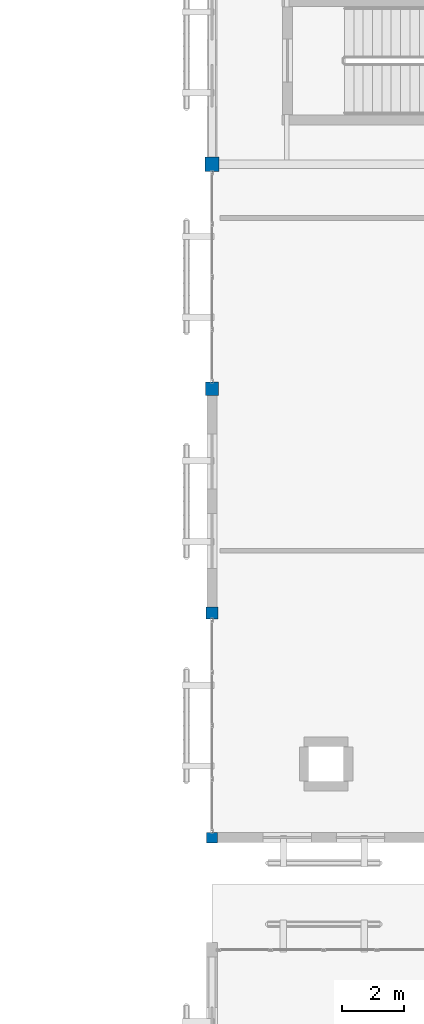
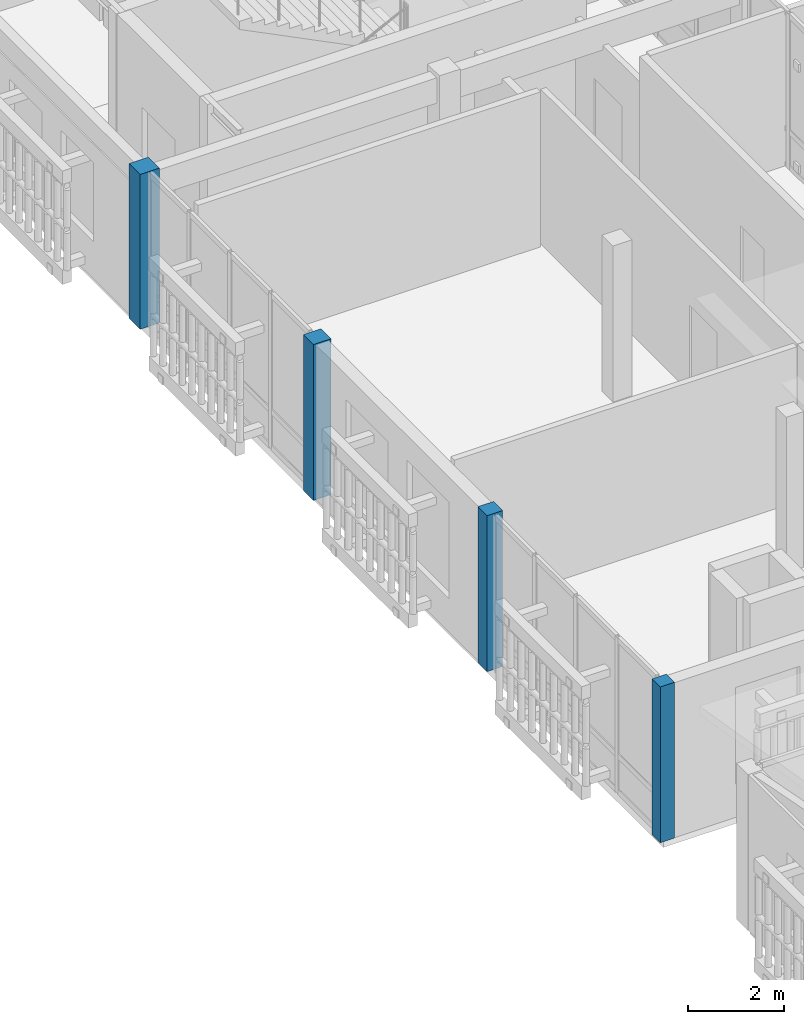
# One storey, part 6 of 112: 4 columns.
"""IFC4 building model written with IfcOpenShell, lengths in metres."""

import ifcopenshell
import ifcopenshell.guid

model = None  # the IFC model being written
_history = None  # IfcOwnerHistory: only IFC2X3 demands one
_inside = {}  # id of a spatial element -> (the spatial element, [elements in it])
_under = {}  # id of a project, library or spatial element -> (it, [spatial elements below it])
_declared = {}  # id of a project -> (the project, [libraries it declares])
_typed = {}  # id of a type object -> (the type object, [elements of that type])
_made_of = {}  # id of a material, layer set ... -> (it, [elements and type objects made of it])


def new_model(schema):
    """Start an empty IFC model of exactly this schema.

    Asked for "IFC4X3", IfcOpenShell would pick the latest addendum, in which some entities
    have other attributes; the version numbers below select the first issue.
    IFC2X3 requires an IfcOwnerHistory on every rooted entity: one is made here for all.
    """
    global model, _history
    if schema == "IFC4X3":
        model = ifcopenshell.file(schema_version=(4, 3, 0, 0))
    else:
        model = ifcopenshell.file(schema=schema)
    _inside.clear()
    _under.clear()
    _declared.clear()
    _typed.clear()
    _made_of.clear()
    _history = None
    if model.schema == "IFC2X3":
        org = make("IfcOrganization", Name="unknown")
        user = make(
            "IfcPersonAndOrganization",
            ThePerson=make("IfcPerson", FamilyName="unknown"),
            TheOrganization=org,
        )
        app = make(
            "IfcApplication",
            ApplicationDeveloper=org,
            Version="unknown",
            ApplicationFullName="unknown",
            ApplicationIdentifier="unknown",
        )
        _history = make(
            "IfcOwnerHistory",
            OwningUser=user,
            OwningApplication=app,
            ChangeAction="ADDED",
            CreationDate=0,
        )
    return model


def make(cls, **values):
    """One entity of the class cls with the attributes given. An attribute that is None is left unset."""
    return model.create_entity(
        cls, **{name: value for name, value in values.items() if value is not None}
    )


def rooted(cls, **values):
    """An entity with a GlobalId (a new one), such as an element, a storey or a relation."""
    return make(cls, GlobalId=ifcopenshell.guid.new(), OwnerHistory=_history, **values)


def si_unit(unit_type, name, prefix=None):
    """IfcSIUnit, for example si_unit("LENGTHUNIT", "METRE", prefix="MILLI")."""
    return make("IfcSIUnit", UnitType=unit_type, Prefix=prefix, Name=name)


def assignment(units):
    """IfcUnitAssignment: the units of a project."""
    return None if units is None else make("IfcUnitAssignment", Units=units)


def point(xyz):
    """IfcCartesianPoint."""
    return None if xyz is None else make("IfcCartesianPoint", Coordinates=xyz)


def direction(xyz):
    """IfcDirection."""
    return None if xyz is None else make("IfcDirection", DirectionRatios=xyz)


def frame(location, z_axis=None, x_axis=None):
    """IfcAxis2Placement3D, a coordinate frame: its origin and axes. An axis left out is left unset."""
    return make(
        "IfcAxis2Placement3D",
        Location=point(location),
        Axis=direction(z_axis),
        RefDirection=direction(x_axis),
    )


def frame_2d(location, x_axis=None):
    """IfcAxis2Placement2D, a coordinate frame in the plane: its origin and x axis."""
    return make(
        "IfcAxis2Placement2D", Location=point(location), RefDirection=direction(x_axis)
    )


def origin():
    """The frame at (0, 0, 0) with its axes left unset."""
    return frame((0.0, 0.0, 0.0))


def origin_2d():
    """The frame at (0, 0) in the plane with its x axis left unset."""
    return frame_2d((0.0, 0.0))


def place(relative_to, where):
    """IfcLocalPlacement: puts the frame where relative to a parent placement (None: the world)."""
    return make(
        "IfcLocalPlacement", PlacementRelTo=relative_to, RelativePlacement=where
    )


def context(
    kind, dimensions, precision=None, world=None, true_north=None, identifier=None
):
    """IfcGeometricRepresentationContext, for example the 3D "Model" context."""
    return make(
        "IfcGeometricRepresentationContext",
        ContextIdentifier=identifier,
        ContextType=kind,
        CoordinateSpaceDimension=dimensions,
        Precision=precision,
        WorldCoordinateSystem=world,
        TrueNorth=true_north,
    )


def subcontext(parent, identifier, kind, view, scale=None):
    """IfcGeometricRepresentationSubContext, for example "Body" below "Model"."""
    return make(
        "IfcGeometricRepresentationSubContext",
        ContextIdentifier=identifier,
        ContextType=kind,
        ParentContext=parent,
        TargetScale=scale,
        TargetView=view,
    )


def project(units=None, contexts=None):
    """IfcProject with its units and contexts."""
    return rooted(
        "IfcProject",
        Name="project",
        RepresentationContexts=contexts,
        UnitsInContext=assignment(units),
    )


def spatial(cls, under=None, at=None, **own):
    """A site, building, storey or space (cls), placed at a placement, below another one or the project."""
    s = rooted(cls, ObjectPlacement=at, **own)
    if under is not None:
        _under.setdefault(under.id(), (under, []))[1].append(s)
    return s


def profile(cls, at=None, kind="AREA", **sizes):
    """A parametric profile (cls). Its sizes go by their IFC names, for example OverallWidth=200.0."""
    return make(cls, ProfileType=kind, Position=at, **sizes)


def rectangle(**sizes):
    """IfcRectangleProfileDef."""
    return profile("IfcRectangleProfileDef", **sizes)


def extrude(swept, where, along, depth):
    """IfcExtrudedAreaSolid: the profile swept, set in the frame where, extruded along a direction by depth."""
    return make(
        "IfcExtrudedAreaSolid",
        SweptArea=swept,
        Position=where,
        ExtrudedDirection=direction(along),
        Depth=depth,
    )


def shape(context_of_items, identifier, shape_type, items):
    """IfcShapeRepresentation: the items that make up one representation, for example the "Body"."""
    return make(
        "IfcShapeRepresentation",
        ContextOfItems=context_of_items,
        RepresentationIdentifier=identifier,
        RepresentationType=shape_type,
        Items=items,
    )


def material(Name=None, Category=None):
    """IfcMaterial."""
    return make("IfcMaterial", Name=Name, Category=Category)


def material_profile(
    of_material, cross_section, Name=None, Category=None, Priority=None
):
    """IfcMaterialProfile: a cross section and its material."""
    return make(
        "IfcMaterialProfile",
        Name=Name,
        Material=of_material,
        Profile=cross_section,
        Priority=Priority,
        Category=Category,
    )


def profile_set(profiles, Name=None, composite=None):
    """IfcMaterialProfileSet."""
    return make(
        "IfcMaterialProfileSet",
        Name=Name,
        MaterialProfiles=profiles,
        CompositeProfile=composite,
    )


def made_of(thing, what):
    """Note that an element or type object is made of a material, layer set ...; save() writes the relation."""
    if what is not None:
        _made_of.setdefault(what.id(), (what, []))[1].append(thing)
    return thing


def type_object(cls, material=None, **own):
    """A type object (cls), such as IfcWallType, which elements share."""
    return made_of(rooted(cls, **own), material)


def element(
    cls,
    number,
    at=None,
    inside=None,
    cuts=None,
    type_object=None,
    material=None,
    context=None,
    identifier="Body",
    shape_type=None,
    held_by="IfcProductDefinitionShape",
    body=None,
    shapes=None,
    **own,
):
    """One element of the class cls, such as IfcWall. Its Tag is "e" and its number.

    at: its placement. inside: the storey or other place that contains it. cuts: it is an
    opening in that element (IfcRelVoidsElement). A single representation is given by context,
    identifier, shape_type and body (its items); several are given by shapes. held_by: the class
    of the entity that holds the representations. save() writes the other relations.
    """
    e = rooted(cls, Tag="e%d" % number, ObjectPlacement=at, **own)
    if body is not None:
        shapes = [shape(context, identifier, shape_type, body)]
    if shapes is not None:
        e.Representation = make(held_by, Representations=shapes)
    if inside is not None:
        _inside.setdefault(inside.id(), (inside, []))[1].append(e)
    if cuts is not None:
        rooted(
            "IfcRelVoidsElement", RelatingBuildingElement=cuts, RelatedOpeningElement=e
        )
    if type_object is not None:
        _typed.setdefault(type_object.id(), (type_object, []))[1].append(e)
    return made_of(e, material)


def aggregate(whole, parts):
    """IfcRelAggregates: a whole, such as a stair, and the parts it consists of."""
    return rooted("IfcRelAggregates", RelatingObject=whole, RelatedObjects=parts)


def save(model, path):
    """Write the relations noted so far, then the file.

    IfcRelAggregates (storeys below a building ...), IfcRelContainedInSpatialStructure (elements
    in a storey), IfcRelDefinesByType, IfcRelAssociatesMaterial and IfcRelDeclares: one each for
    every whole, place, type object, material and project.
    """
    for whole, parts in _under.values():
        aggregate(whole, parts)
    for where, things in _inside.values():
        rooted(
            "IfcRelContainedInSpatialStructure",
            RelatedElements=things,
            RelatingStructure=where,
        )
    for kind, things in _typed.values():
        rooted("IfcRelDefinesByType", RelatedObjects=things, RelatingType=kind)
    for what, things in _made_of.values():
        rooted("IfcRelAssociatesMaterial", RelatedObjects=things, RelatingMaterial=what)
    for by, libraries in _declared.values():
        rooted("IfcRelDeclares", RelatingContext=by, RelatedDefinitions=libraries)
    model.write(path)


model = new_model("IFC4")

# Units and contexts
model_context = context("Model", 3, precision=1e-05, world=origin(), true_north=direction((0.0, 1.0)))
body_context = subcontext(model_context, "Body", "Model", "MODEL_VIEW")
ifc_project = project(units=[si_unit("LENGTHUNIT", "METRE"), si_unit("AREAUNIT", "SQUARE_METRE"), si_unit("VOLUMEUNIT", "CUBIC_METRE"), si_unit("PLANEANGLEUNIT", "RADIAN"), si_unit("MASSUNIT", "GRAM", prefix="KILO")], contexts=[model_context])

# Site, building, storey
site_placement = place(None, origin())
site = spatial("IfcSite", under=ifc_project, at=site_placement, CompositionType="ELEMENT")
building_placement = place(site_placement, origin())
building = spatial("IfcBuilding", under=site, at=building_placement, Name="Mazaris Harbour Polytechnic", CompositionType="ELEMENT")
storey_placement = place(building_placement, frame((0.0, 0.0, 13.800048828125)))
storey = spatial("IfcBuildingStorey", under=building, at=storey_placement, Name="L03", CompositionType="ELEMENT", Elevation=13.800048828125)

# Columns
ifc_material_1 = material(Name="Glulam GL28h", Category="wood")
ifc_material_profile_1 = material_profile(ifc_material_1, rectangle(XDim=0.340087890625, YDim=0.340087890625, at=origin_2d()), Name="RECT340x340")
ifc_profile_set_1 = profile_set([ifc_material_profile_1], Name="Glulam GL28h")
column_type_1 = type_object("IfcColumnType", Name="Glulam Column 340x340 Exterior", PredefinedType="COLUMN", material=ifc_profile_set_1)
column_1_placement = place(storey_placement, frame((122.39990234375, 46.800048828125, 0.0), z_axis=(0.0, 0.0, 1.0), x_axis=(1.0, 0.0, 0.0)))
element("IfcColumn", 1, at=column_1_placement, inside=storey, type_object=column_type_1, Name="V5 L03 Column 1400", PredefinedType="COLUMN", context=body_context, shape_type="SweptSolid", body=[
    extrude(rectangle(XDim=0.340087890625, YDim=0.340087890625, at=origin_2d()), origin(), (0.0, 0.0, 1.0), 3.9599609375),
])
ifc_material_2 = material(Name="Glulam GL28h", Category="wood")
ifc_material_profile_2 = material_profile(ifc_material_2, rectangle(XDim=0.3798828125, YDim=0.3798828125, at=origin_2d()), Name="RECT380x380")
ifc_profile_set_2 = profile_set([ifc_material_profile_2], Name="Glulam GL28h")
column_type_2 = type_object("IfcColumnType", Name="Glulam Column 380x380 Exterior", PredefinedType="COLUMN", material=ifc_profile_set_2)
column_2_placement = place(storey_placement, frame((122.39990234375, 54.0, 0.0), z_axis=(0.0, 0.0, 1.0), x_axis=(1.0, 0.0, 0.0)))
element("IfcColumn", 2, at=column_2_placement, inside=storey, type_object=column_type_2, Name="V5 L03 Column 1401", PredefinedType="COLUMN", context=body_context, shape_type="SweptSolid", body=[
    extrude(rectangle(XDim=0.3798828125, YDim=0.3798828125, at=origin_2d()), origin(), (0.0, 0.0, 1.0), 3.9599609375),
])
ifc_material_3 = material(Name="Glulam GL28h", Category="wood")
ifc_material_profile_3 = material_profile(ifc_material_3, rectangle(XDim=0.419921875, YDim=0.419921875, at=origin_2d()), Name="RECT420x420")
ifc_profile_set_3 = profile_set([ifc_material_profile_3], Name="Glulam GL28h")
column_type_3 = type_object("IfcColumnType", Name="Glulam Column 420x420 Exterior", PredefinedType="COLUMN", material=ifc_profile_set_3)
column_3_placement = place(storey_placement, frame((122.39990234375, 61.199951171875, 0.0), z_axis=(0.0, 0.0, 1.0), x_axis=(1.0, 0.0, 0.0)))
element("IfcColumn", 3, at=column_3_placement, inside=storey, type_object=column_type_3, Name="V5 L03 Column 1402", PredefinedType="COLUMN", context=body_context, shape_type="SweptSolid", body=[
    extrude(rectangle(XDim=0.419921875, YDim=0.419921875, at=origin_2d()), origin(), (0.0, 0.0, 1.0), 3.9599609375),
])
ifc_material_4 = material(Name="Glulam GL28h", Category="wood")
ifc_material_profile_4 = material_profile(ifc_material_4, rectangle(XDim=0.4599609375, YDim=0.4599609375, at=origin_2d()), Name="RECT460x460")
ifc_profile_set_4 = profile_set([ifc_material_profile_4], Name="Glulam GL28h")
column_type_4 = type_object("IfcColumnType", Name="Glulam Column 460x460 Exterior", PredefinedType="COLUMN", material=ifc_profile_set_4)
column_4_placement = place(storey_placement, frame((122.39990234375, 68.39990234375, 0.0), z_axis=(0.0, 0.0, 1.0), x_axis=(1.0, 0.0, 0.0)))
element("IfcColumn", 4, at=column_4_placement, inside=storey, type_object=column_type_4, Name="V5 L03 Column 1403", PredefinedType="COLUMN", context=body_context, shape_type="SweptSolid", body=[
    extrude(rectangle(XDim=0.4599609375, YDim=0.4599609375, at=origin_2d()), origin(), (0.0, 0.0, 1.0), 3.93505859375),
])

save(model, "model.ifc")
